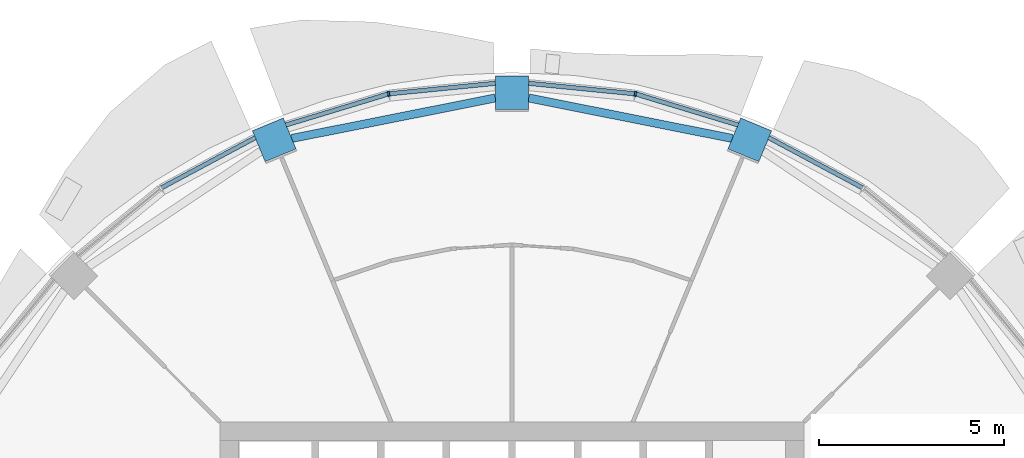
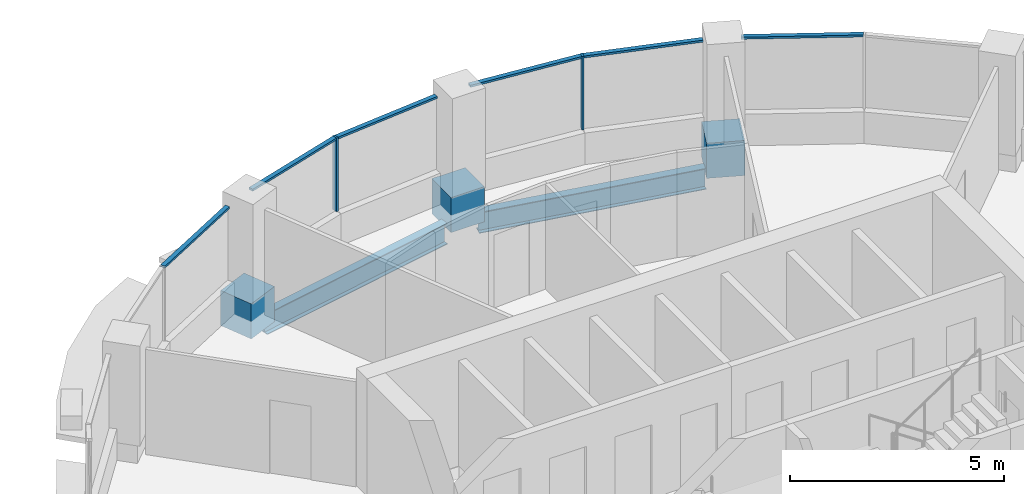
# One storey, part 6 of 15: 11 members, 2 beams, 4 elements without a shape of their own.
"""IFC4 building model written with IfcOpenShell, lengths in metres."""

from ifc_helpers import new_model, si_unit, direction, frame, origin, origin_2d, place, context, subcontext, project, spatial, rectangle, i_section, extrude, material, material_profile, profile_set, type_object, element, aggregate, save


model = new_model("IFC4")

# Units and contexts
model_context = context("Model", 3, precision=1e-05, world=origin(), true_north=direction((0.0, 1.0)))
body_context = subcontext(model_context, "Body", "Model", "MODEL_VIEW")
ifc_project = project(units=[si_unit("LENGTHUNIT", "METRE"), si_unit("AREAUNIT", "SQUARE_METRE"), si_unit("VOLUMEUNIT", "CUBIC_METRE"), si_unit("PLANEANGLEUNIT", "RADIAN"), si_unit("MASSUNIT", "GRAM", prefix="KILO")], contexts=[model_context])

# Site, building, storey
site_placement = place(None, origin())
site = spatial("IfcSite", under=ifc_project, at=site_placement, CompositionType="ELEMENT")
building_placement = place(site_placement, origin())
building = spatial("IfcBuilding", under=site, at=building_placement, Name="Polderwave Tower", CompositionType="ELEMENT")
storey_placement = place(building_placement, frame((0.0, 0.0, 197.699951171875)))
storey = spatial("IfcBuildingStorey", under=building, at=storey_placement, Name="L53", CompositionType="ELEMENT", Elevation=197.699951171875)

# Curtain wall, member
ifc_material_1 = material(Name="Aluminium 6063-T6 and glass", Category="aluminium")
curtain_wall_type = type_object("IfcCurtainWallType", Name="Office ribbon glazing wall", PredefinedType="NOTDEFINED", material=ifc_material_1)
curtain_wall_1_placement = place(storey_placement, origin())
curtain_wall_1 = element("IfcCurtainWall", 1, at=curtain_wall_1_placement, inside=storey, type_object=curtain_wall_type, Name="CW3 L53 03", PredefinedType="NOTDEFINED")
ifc_material_2 = material(Name="Aluminium 6063-T6", Category="aluminium")
ifc_material_profile_1 = material_profile(ifc_material_2, rectangle(XDim=0.139892578125, YDim=0.054931640625, at=origin_2d()), Name="AL 55x140")
ifc_profile_set_1 = profile_set([ifc_material_profile_1], Name="Aluminium 6063-T6")
member_type_1 = type_object("IfcMemberType", Name="Office ribbon glazing mullion 55x140", PredefinedType="MULLION", material=ifc_profile_set_1)
member_1_placement = place(storey_placement, frame((3.325927734375, 16.721923828125, 0.900146484375), z_axis=(0.0, 0.0, 1.0), x_axis=(-0.195205010829, -0.980762460409, 0.0)))
member_1 = element("IfcMember", 2, at=member_1_placement, type_object=member_type_1, Name="CW3 mullion 1", PredefinedType="MULLION", context=body_context, shape_type="SweptSolid", body=[
    extrude(rectangle(XDim=0.139892578125, YDim=0.054931640625, at=origin_2d()), origin(), (0.0, 0.0, 1.0), 2.099853515625),
])

curtain_wall_2_placement = place(storey_placement, origin())
curtain_wall_2 = element("IfcCurtainWall", 3, at=curtain_wall_2_placement, inside=storey, type_object=curtain_wall_type, Name="CW3 L53 04", PredefinedType="NOTDEFINED")
member_2_placement = place(storey_placement, frame((-3.325927734375, 16.721923828125, 0.900146484375), z_axis=(0.0, 0.0, 1.0), x_axis=(0.195205010829, -0.980762460409, 0.0)))
member_2 = element("IfcMember", 4, at=member_2_placement, type_object=member_type_1, Name="CW3 mullion 1", PredefinedType="MULLION", context=body_context, shape_type="SweptSolid", body=[
    extrude(rectangle(XDim=0.139892578125, YDim=0.054931640625, at=origin_2d()), origin(), (0.0, 0.0, 1.0), 2.099853515625),
])

curtain_wall_3_placement = place(storey_placement, origin())
curtain_wall_3 = element("IfcCurtainWall", 5, at=curtain_wall_3_placement, inside=storey, type_object=curtain_wall_type, Name="CW3 L53 02", PredefinedType="NOTDEFINED")
ifc_material_profile_2 = material_profile(ifc_material_2, rectangle(XDim=0.1201171875, YDim=0.06005859375, at=origin_2d()), Name="AL 60x120")
ifc_profile_set_2 = profile_set([ifc_material_profile_2], Name="Aluminium 6063-T6")
member_type_2 = type_object("IfcMemberType", Name="Office ribbon glazing transom 60x120", PredefinedType="USERDEFINED", material=ifc_profile_set_2)
member_3_placement = place(storey_placement, frame((9.44775390625, 14.18994140625, 2.969970703125), z_axis=(-0.881894364311, 0.471447059803, 0.0), x_axis=(-0.471447059803, -0.881894364311, 0.0)))
member_3 = element("IfcMember", 6, at=member_3_placement, type_object=member_type_2, Name="CW3 transom 2", ObjectType="TRANSOM", PredefinedType="USERDEFINED", context=body_context, shape_type="SweptSolid", body=[
    extrude(rectangle(XDim=0.1201171875, YDim=0.06005859375, at=origin_2d()), origin(), (0.0, 0.0, 1.0), 2.861572265625),
])
aggregate(curtain_wall_3, [member_3])

# Member
member_4_placement = place(storey_placement, frame((6.092041015625, 15.883056640625, 2.969970703125), z_axis=(-0.956944042407, 0.290272457704, 0.0), x_axis=(-0.290272457704, -0.956944042407, 0.0)))
member_4 = element("IfcMember", 7, at=member_4_placement, type_object=member_type_2, Name="CW3 transom 1", ObjectType="TRANSOM", PredefinedType="USERDEFINED", context=body_context, shape_type="SweptSolid", body=[
    extrude(rectangle(XDim=0.1201171875, YDim=0.06005859375, at=origin_2d()), origin(), (0.0, 0.0, 1.0), 2.863037109375),
])

member_5_placement = place(storey_placement, frame((3.298583984375, 16.724609375, 2.969970703125), z_axis=(-0.99515304142, 0.098338314772, 0.0), x_axis=(-0.098338314772, -0.99515304142, 0.0)))
member_5 = element("IfcMember", 8, at=member_5_placement, type_object=member_type_2, Name="CW3 transom 2", ObjectType="TRANSOM", PredefinedType="USERDEFINED", context=body_context, shape_type="SweptSolid", body=[
    extrude(rectangle(XDim=0.1201171875, YDim=0.06005859375, at=origin_2d()), origin(), (0.0, 0.0, 1.0), 2.862548828125),
])

aggregate(curtain_wall_1, [member_1, member_4, member_5])

member_6_placement = place(storey_placement, frame((-0.449951171875, 17.006103515625, 2.969970703125), z_axis=(-0.99515304142, -0.098338314772, 0.0), x_axis=(0.098338314772, -0.99515304142, 0.0)))
member_6 = element("IfcMember", 9, at=member_6_placement, type_object=member_type_2, Name="CW3 transom 1", ObjectType="TRANSOM", PredefinedType="USERDEFINED", context=body_context, shape_type="SweptSolid", body=[
    extrude(rectangle(XDim=0.1201171875, YDim=0.06005859375, at=origin_2d()), origin(), (0.0, 0.0, 1.0), 2.862548828125),
])

member_7_placement = place(storey_placement, frame((-3.352294921875, 16.714111328125, 2.969970703125), z_axis=(-0.956944042407, -0.290272457704, 0.0), x_axis=(0.290272457704, -0.956944042407, 0.0)))
member_7 = element("IfcMember", 10, at=member_7_placement, type_object=member_type_2, Name="CW3 transom 2", ObjectType="TRANSOM", PredefinedType="USERDEFINED", context=body_context, shape_type="SweptSolid", body=[
    extrude(rectangle(XDim=0.1201171875, YDim=0.06005859375, at=origin_2d()), origin(), (0.0, 0.0, 1.0), 2.863037109375),
])

aggregate(curtain_wall_2, [member_2, member_6, member_7])

# Curtain wall, member
curtain_wall_4_placement = place(storey_placement, origin())
curtain_wall_4 = element("IfcCurtainWall", 11, at=curtain_wall_4_placement, inside=storey, type_object=curtain_wall_type, Name="CW3 L53 05", PredefinedType="NOTDEFINED")
member_8_placement = place(storey_placement, frame((-6.924072265625, 15.5390625, 2.969970703125), z_axis=(-0.881894364311, -0.471447059803, 0.0), x_axis=(0.471447059803, -0.881894364311, 0.0)))
member_8 = element("IfcMember", 12, at=member_8_placement, type_object=member_type_2, Name="CW3 transom 1", ObjectType="TRANSOM", PredefinedType="USERDEFINED", context=body_context, shape_type="SweptSolid", body=[
    extrude(rectangle(XDim=0.1201171875, YDim=0.06005859375, at=origin_2d()), origin(), (0.0, 0.0, 1.0), 2.861572265625),
])
aggregate(curtain_wall_4, [member_8])

# Members
ifc_material_3 = material(Name="Concrete C60/75", Category="concrete")
ifc_material_profile_3 = material_profile(ifc_material_3, rectangle(XDim=0.89990234375, YDim=0.89990234375, at=origin_2d()), Name="RC 900x900")
ifc_profile_set_3 = profile_set([ifc_material_profile_3], Name="Concrete C60/75")
member_type_3 = type_object("IfcMemberType", Name="RC NODE 900x900 C60/75", PredefinedType="POST", material=ifc_profile_set_3)
for number, where, z_axis, x_axis, name in (
    (13, (6.412109375, 15.48046875, -0.5), (0.0, 0.0, 1.0), (0.382683432365, 0.923879532511, 0.0), "Ring column node 04"),
    (14, (0.0, 16.755859375, -0.5), (0.0, 0.0, 1.0), (0.0, 1.0, 0.0), "Ring column node 05"),
    (15, (-6.412109375, 15.48046875, -0.5), (0.0, 0.0, 1.0), (-0.382683432365, 0.923879532511, 0.0), "Ring column node 06"),
):
    element("IfcMember", number, at=place(storey_placement, frame(where, z_axis=z_axis, x_axis=x_axis)), inside=storey, type_object=member_type_3, Name=name, PredefinedType="POST", context=body_context, shape_type="SweptSolid", body=[
        extrude(rectangle(XDim=0.89990234375, YDim=0.89990234375, at=origin_2d()), origin(), (0.0, 0.0, 1.0), 1.0),
    ])

# Beams
ifc_material_4 = material(Name="Steel S355", Category="steel")
ifc_material_profile_4 = material_profile(ifc_material_4, i_section(OverallWidth=0.219970703125, OverallDepth=0.60009765625, WebThickness=0.011962890625, FlangeThickness=0.01904296875, at=origin_2d()), Name="IPE 600")
ifc_profile_set_4 = profile_set([ifc_material_profile_4], Name="Steel S355")
beam_type = type_object("IfcBeamType", Name="RING BEAM IPE 600", PredefinedType="BEAM", material=ifc_profile_set_4)
for number, where, z_axis, x_axis, name in (
    (16, (5.94091796875, 15.518310546875, -0.64990234375), (-0.980783094673, 0.195101310105, 0.0), (-0.195101310105, -0.980783094673, 0.0), "ST-RB-L53-03"),
    (17, (-0.449951171875, 16.610595703125, -0.64990234375), (-0.980783094673, -0.195101310105, 0.0), (0.195101310105, -0.980783094673, 0.0), "ST-RB-L53-04"),
):
    element("IfcBeam", number, at=place(storey_placement, frame(where, z_axis=z_axis, x_axis=x_axis)), inside=storey, type_object=beam_type, Name=name, PredefinedType="BEAM", context=body_context, shape_type="SweptSolid", body=[
        extrude(i_section(OverallWidth=0.219970703125, OverallDepth=0.60009765625, WebThickness=0.011962890625, FlangeThickness=0.01904296875, at=origin_2d()), origin(), (0.0, 0.0, 1.0), 5.5986328125),
    ])

save(model, "model.ifc")
